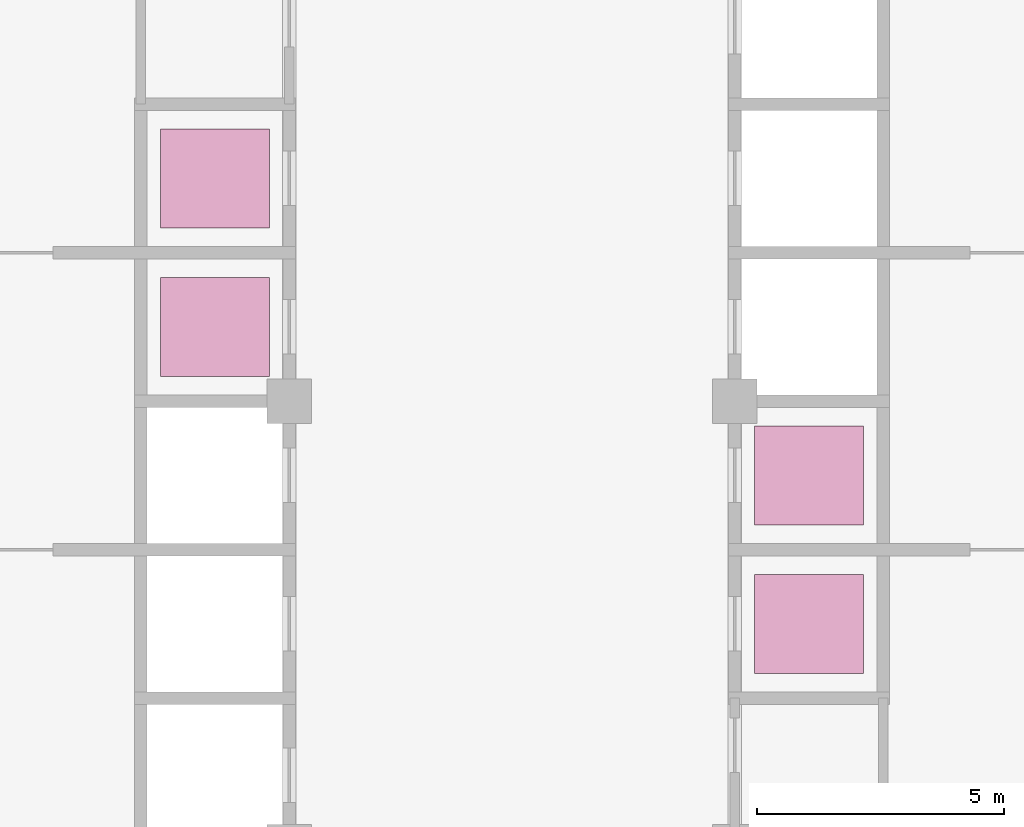
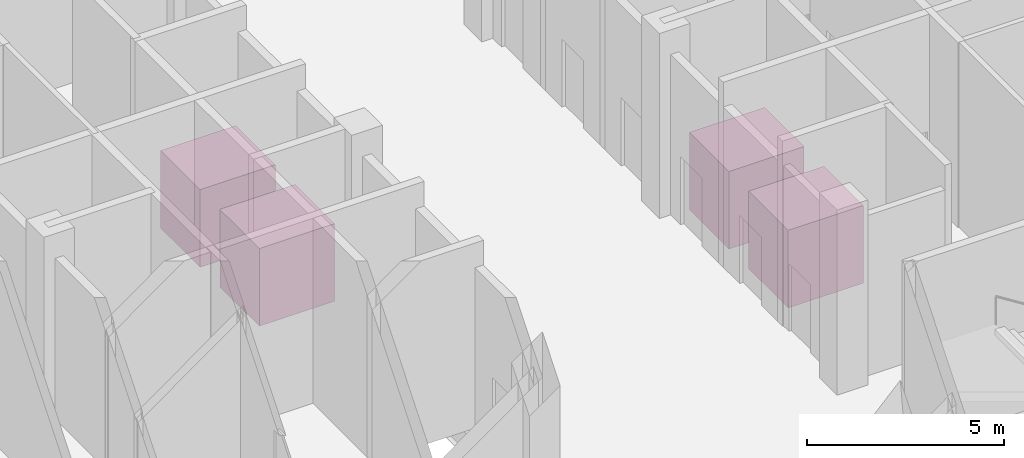
# One storey, part 14 of 14: 4 transport elements.
"""IFC4 building model written with IfcOpenShell, lengths in metres."""

from ifc_helpers import new_model, si_unit, direction, frame, origin, origin_2d, place, context, subcontext, project, spatial, rectangle, extrude, material, type_object, element, save


model = new_model("IFC4")

# Units and contexts
model_context = context("Model", 3, precision=1e-05, world=origin(), true_north=direction((0.0, 1.0)))
body_context = subcontext(model_context, "Body", "Model", "MODEL_VIEW")
ifc_project = project(units=[si_unit("LENGTHUNIT", "METRE"), si_unit("AREAUNIT", "SQUARE_METRE"), si_unit("VOLUMEUNIT", "CUBIC_METRE"), si_unit("PLANEANGLEUNIT", "RADIAN"), si_unit("MASSUNIT", "GRAM", prefix="KILO")], contexts=[model_context])

# Site, building, storey
site_placement = place(None, origin())
site = spatial("IfcSite", under=ifc_project, at=site_placement, CompositionType="ELEMENT")
building_placement = place(site_placement, origin())
building = spatial("IfcBuilding", under=site, at=building_placement, Name="Corbelhall Arena Tower", CompositionType="ELEMENT")
storey_placement = place(building_placement, frame((0.0, 0.0, 178.0)))
storey = spatial("IfcBuildingStorey", under=building, at=storey_placement, Name="L36", CompositionType="ELEMENT", Elevation=178.0)

# Transport elements
ifc_material = material(Name="Stainless steel A4", Category="steel")
transport_element_type = type_object("IfcTransportElementType", Name="IN-LF-PASS", PredefinedType="ELEVATOR", material=ifc_material)
for number, where, z_axis, x_axis, name in (
    (1, (6.0, -4.5, 0.0), (0.0, 0.0, 1.0), (1.0, 0.0, 0.0), "Passenger lift mid-rise PM1"),
    (2, (6.0, -1.5, 0.0), (0.0, 0.0, 1.0), (1.0, 0.0, 0.0), "Passenger lift mid-rise PM2"),
    (3, (-6.0, 1.5, 0.0), (0.0, 0.0, 1.0), (1.0, 0.0, 0.0), "Passenger lift mid-rise PM3"),
    (4, (-6.0, 4.5, 0.0), (0.0, 0.0, 1.0), (1.0, 0.0, 0.0), "Passenger lift mid-rise PM4"),
):
    element("IfcTransportElement", number, at=place(storey_placement, frame(where, z_axis=z_axis, x_axis=x_axis)), inside=storey, type_object=transport_element_type, Name=name, PredefinedType="ELEVATOR", context=body_context, shape_type="SweptSolid", body=[
        extrude(rectangle(XDim=2.199951171875, YDim=2.0, at=origin_2d()), origin(), (0.0, 0.0, 1.0), 2.39990234375),
    ])

save(model, "model.ifc")
